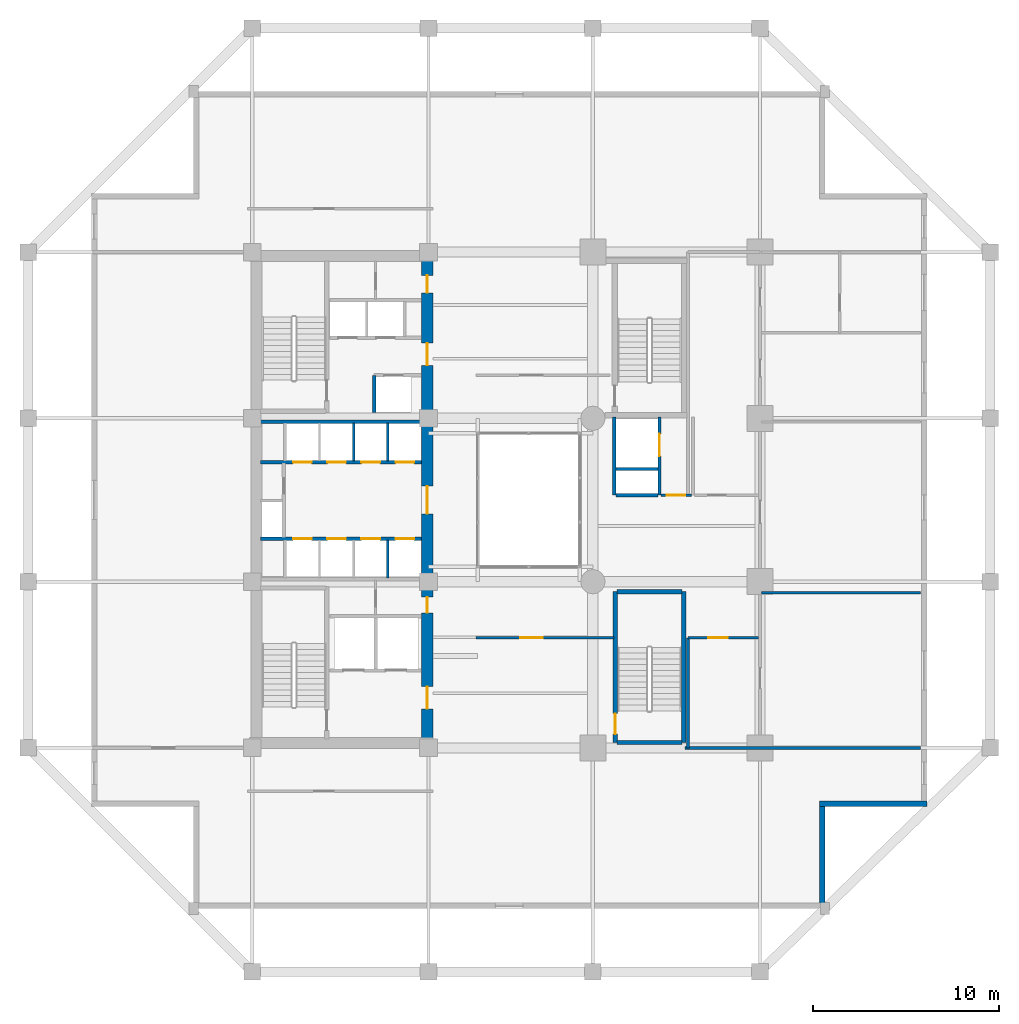
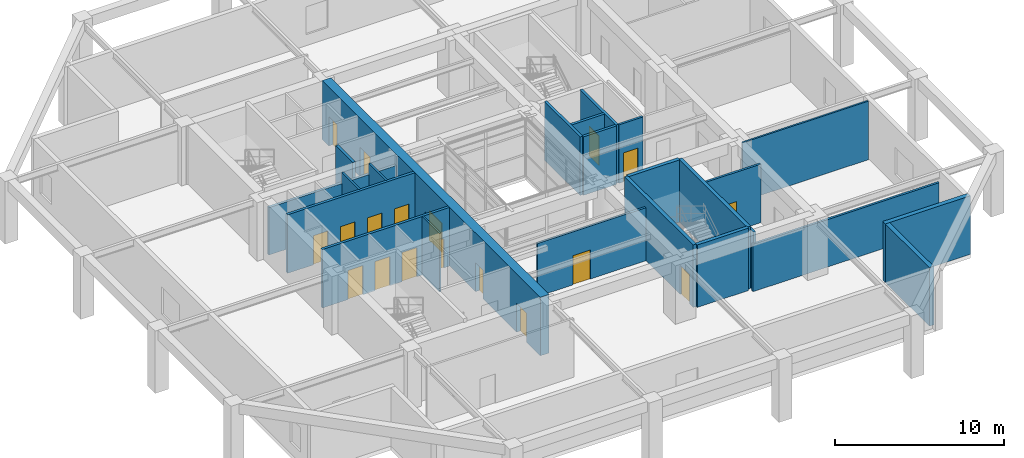
# One storey, part 7 of 10: 24 walls, 18 doors, 18 openings.
"""IFC4 building model written with IfcOpenShell, lengths in metres."""

from ifc_helpers import new_model, si_unit, direction, frame, frame_2d, origin, place, context, subcontext, project, spatial, rectangle, extrude, material, layer, layer_set, type_object, element, fill, save


model = new_model("IFC4")

# Units and contexts
model_context = context("Model", 3, precision=1e-05, world=origin(), true_north=direction((0.0, 1.0)))
body_context = subcontext(model_context, "Body", "Model", "MODEL_VIEW")
ifc_project = project(units=[si_unit("LENGTHUNIT", "METRE"), si_unit("AREAUNIT", "SQUARE_METRE"), si_unit("VOLUMEUNIT", "CUBIC_METRE"), si_unit("PLANEANGLEUNIT", "RADIAN"), si_unit("MASSUNIT", "GRAM", prefix="KILO")], contexts=[model_context])

# Site, building, storey
site_placement = place(None, origin())
site = spatial("IfcSite", under=ifc_project, at=site_placement, CompositionType="ELEMENT")
building_placement = place(site_placement, origin())
building = spatial("IfcBuilding", under=site, at=building_placement, Name="Kundavana Baori Tower", CompositionType="ELEMENT")
storey_placement = place(building_placement, frame((0.0, 0.0, 8.0)))
storey = spatial("IfcBuildingStorey", under=building, at=storey_placement, Name="L01", CompositionType="ELEMENT", Elevation=8.0)

# Wall, opening, door
ifc_material_1 = material(Name="Concrete C50/60", Category="concrete")
ifc_layer_1 = layer(ifc_material_1, 0.39990234375, Name="WL-CORE-400")
ifc_layer_set_1 = layer_set([ifc_layer_1], Name="Concrete C50/60")
wall_type_1 = type_object("IfcWallType", Name="WL-CORE-400", PredefinedType="SHEAR", material=ifc_layer_set_1)
wall_1_placement = place(storey_placement, frame((35.010009765625, 15.5400390625, 0.0), z_axis=(0.0, 0.0, 1.0), x_axis=(0.0, 1.0, 0.0)))
wall_1 = element("IfcWall", 1, at=wall_1_placement, inside=storey, type_object=wall_type_1, Name="WL-L01-ST4-W", PredefinedType="SHEAR", context=body_context, shape_type="SweptSolid", body=[
    extrude(rectangle(XDim=8.119873046875, YDim=0.239990234375, at=frame_2d((4.06005859375, 0.0))), origin(), (0.0, 0.0, 1.0), 4.5),
])
opening_1_placement = place(wall_1_placement, frame((0.449951171875, 0.0, 0.0)))
opening_1 = element("IfcOpeningElement", 2, at=opening_1_placement, cuts=wall_1, Name="Opening FD-110", PredefinedType="OPENING", context=body_context, shape_type="SweptSolid", body=[
    extrude(rectangle(XDim=1.10009765625, YDim=2.10009765625, at=frame_2d((0.550048828125, 1.050048828125))), frame((0.0, 0.1298828125, 0.0), z_axis=(0.0, -1.0, 0.0), x_axis=(1.0, 0.0, 0.0)), (0.0, 0.0, 1.0), 0.260009765625),
])
ifc_material_2 = material(Name="Galvanised Steel Fire-Rated Door Leaf", Category="steel")
door_type_1 = type_object("IfcDoorType", Name="DR-FD120-1100", OperationType="NOTDEFINED", PredefinedType="DOOR", material=ifc_material_2)
door_1_placement = place(opening_1_placement, origin())
door_1 = element("IfcDoor", 3, at=door_1_placement, inside=storey, type_object=door_type_1, Name="DR-L01-ST4", OperationType="SINGLE_SWING_RIGHT", OverallHeight=2.10009765625, OverallWidth=1.10009765625, PredefinedType="DOOR", context=body_context, shape_type="SweptSolid", body=[
    extrude(rectangle(XDim=1.10009765625, YDim=2.10009765625, at=frame_2d((0.550048828125, 1.050048828125))), frame((0.0, 0.02490234375, 0.0), z_axis=(0.0, -1.0, 0.0), x_axis=(1.0, 0.0, 0.0)), (0.0, 0.0, 1.0), 0.050048828125),
])
fill(opening_1, door_1)

# Walls
wall_2_placement = place(storey_placement, frame((38.68994140625, 15.5400390625, 0.0), z_axis=(0.0, 0.0, 1.0), x_axis=(0.0, 1.0, 0.0)))
element("IfcWall", 4, at=wall_2_placement, inside=storey, type_object=wall_type_1, Name="WL-L01-ST4-E", PredefinedType="SHEAR", context=body_context, shape_type="SweptSolid", body=[
    extrude(rectangle(XDim=8.119873046875, YDim=0.239990234375, at=frame_2d((4.06005859375, 0.0))), origin(), (0.0, 0.0, 1.0), 4.5),
])
for number, where, z_axis, x_axis, name in (
    (5, (35.10009765625, 15.5400390625, 0.0), (0.0, 0.0, 1.0), (1.0, 0.0, 0.0), "WL-L01-ST4-S"),
    (6, (35.10009765625, 23.659912109375, 0.0), (0.0, 0.0, 1.0), (1.0, 0.0, 0.0), "WL-L01-ST4-N"),
):
    element("IfcWall", number, at=place(storey_placement, frame(where, z_axis=z_axis, x_axis=x_axis)), inside=storey, type_object=wall_type_1, Name=name, PredefinedType="SHEAR", context=body_context, shape_type="SweptSolid", body=[
        extrude(rectangle(XDim=3.5, YDim=0.239990234375, at=frame_2d((1.75, 0.0))), origin(), (0.0, 0.0, 1.0), 4.5),
    ])

# Wall, openings, doors
ifc_material_3 = material(Name="Concrete C60/75", Category="concrete")
ifc_layer_2 = layer(ifc_material_3, 0.60009765625, Name="WL-CORE-600")
ifc_layer_set_2 = layer_set([ifc_layer_2], Name="Concrete C60/75")
wall_type_2 = type_object("IfcWallType", Name="WL-CORE-600", PredefinedType="SHEAR", material=ifc_layer_set_2)
wall_3_placement = place(storey_placement, frame((24.8798828125, 15.739990234375, 0.0), z_axis=(0.0, 0.0, 1.0), x_axis=(0.0, 1.0, 0.0)))
wall_3 = element("IfcWall", 7, at=wall_3_placement, inside=storey, type_object=wall_type_2, Name="L01 Offset Core East Shear Wall", PredefinedType="SHEAR", context=body_context, shape_type="SweptSolid", body=[
    extrude(rectangle(XDim=25.760009765625, YDim=0.60009765625, at=frame_2d((12.8798828125, 0.0))), origin(), (0.0, 0.0, 1.0), 4.219970703125),
])
opening_2_placement = place(wall_3_placement, frame((1.610107421875, 0.0, 0.0)))
opening_2 = element("IfcOpeningElement", 8, at=opening_2_placement, cuts=wall_3, Name="Opening FD-120", PredefinedType="OPENING", context=body_context, shape_type="SweptSolid", body=[
    extrude(rectangle(XDim=1.199951171875, YDim=2.10009765625, at=frame_2d((0.60009765625, 1.050048828125))), frame((0.0, 0.31005859375, 0.0), z_axis=(0.0, -1.0, 0.0), x_axis=(1.0, 0.0, 0.0)), (0.0, 0.0, 1.0), 0.6201171875),
])
opening_3_placement = place(wall_3_placement, frame((6.780029296875, 0.0, 0.0)))
opening_3 = element("IfcOpeningElement", 9, at=opening_3_placement, cuts=wall_3, Name="Opening FD-085", PredefinedType="OPENING", context=body_context, shape_type="SweptSolid", body=[
    extrude(rectangle(XDim=0.85009765625, YDim=2.06005859375, at=frame_2d((0.425048828125, 1.030029296875))), frame((0.0, 0.31005859375, 0.0), z_axis=(0.0, -1.0, 0.0), x_axis=(1.0, 0.0, 0.0)), (0.0, 0.0, 1.0), 0.6201171875),
])
opening_4_placement = place(wall_3_placement, frame((12.110107421875, 0.0, 0.0)))
opening_4 = element("IfcOpeningElement", 10, at=opening_4_placement, cuts=wall_3, Name="Opening FD-150", PredefinedType="OPENING", context=body_context, shape_type="SweptSolid", body=[
    extrude(rectangle(XDim=1.5, YDim=2.1201171875, at=frame_2d((0.75, 1.06005859375))), frame((0.0, 0.31005859375, 0.0), z_axis=(0.0, -1.0, 0.0), x_axis=(1.0, 0.0, 0.0)), (0.0, 0.0, 1.0), 0.6201171875),
])
opening_5_placement = place(wall_3_placement, frame((20.110107421875, 0.0, 0.0)))
opening_5 = element("IfcOpeningElement", 11, at=opening_5_placement, cuts=wall_3, Name="Opening FD-122", PredefinedType="OPENING", context=body_context, shape_type="SweptSolid", body=[
    extrude(rectangle(XDim=1.199951171875, YDim=2.1201171875, at=frame_2d((0.60009765625, 1.06005859375))), frame((0.0, 0.31005859375, 0.0), z_axis=(0.0, -1.0, 0.0), x_axis=(1.0, 0.0, 0.0)), (0.0, 0.0, 1.0), 0.6201171875),
])
opening_6_placement = place(wall_3_placement, frame((24.010009765625, 0.0, 0.0)))
opening_6 = element("IfcOpeningElement", 12, at=opening_6_placement, cuts=wall_3, Name="Opening FD-095", PredefinedType="OPENING", context=body_context, shape_type="SweptSolid", body=[
    extrude(rectangle(XDim=0.949951171875, YDim=2.10009765625, at=frame_2d((0.47509765625, 1.050048828125))), frame((0.0, 0.31005859375, 0.0), z_axis=(0.0, -1.0, 0.0), x_axis=(1.0, 0.0, 0.0)), (0.0, 0.0, 1.0), 0.6201171875),
])
ifc_material_4 = material(Name="Galvanised Steel Fire-Rated Door Leaf", Category="steel")
door_type_2 = type_object("IfcDoorType", Name="DR-FD120-1200", OperationType="NOTDEFINED", PredefinedType="DOOR", material=ifc_material_4)
door_2_placement = place(opening_2_placement, frame((1.199951171875, 0.0, 0.0), z_axis=(0.0, 0.0, 1.0), x_axis=(-1.0, 0.0, 0.0)))
door_2 = element("IfcDoor", 13, at=door_2_placement, inside=storey, type_object=door_type_2, Name="DR-L01-FFLOB-E", OperationType="SINGLE_SWING_RIGHT", OverallHeight=2.10009765625, OverallWidth=1.199951171875, PredefinedType="DOOR", context=body_context, shape_type="SweptSolid", body=[
    extrude(rectangle(XDim=1.199951171875, YDim=2.10009765625, at=frame_2d((0.60009765625, 1.050048828125))), frame((0.0, 0.02490234375, 0.0), z_axis=(0.0, -1.0, 0.0), x_axis=(1.0, 0.0, 0.0)), (0.0, 0.0, 1.0), 0.050048828125),
])
fill(opening_2, door_2)
ifc_material_5 = material(Name="Galvanised Steel Fire-Rated Door Leaf", Category="steel")
door_type_3 = type_object("IfcDoorType", Name="DR-FD60-1200", OperationType="NOTDEFINED", PredefinedType="DOOR", material=ifc_material_5)
door_3_placement = place(opening_5_placement, frame((1.199951171875, 0.0, 0.0), z_axis=(0.0, 0.0, 1.0), x_axis=(-1.0, 0.0, 0.0)))
door_3 = element("IfcDoor", 14, at=door_3_placement, inside=storey, type_object=door_type_3, Name="DR-L01-HRLOB-E", OperationType="SINGLE_SWING_RIGHT", OverallHeight=2.1201171875, OverallWidth=1.199951171875, PredefinedType="DOOR", context=body_context, shape_type="SweptSolid", body=[
    extrude(rectangle(XDim=1.199951171875, YDim=2.1201171875, at=frame_2d((0.60009765625, 1.06005859375))), frame((0.0, 0.02490234375, 0.0), z_axis=(0.0, -1.0, 0.0), x_axis=(1.0, 0.0, 0.0)), (0.0, 0.0, 1.0), 0.050048828125),
])
fill(opening_5, door_3)
ifc_material_6 = material(Name="Galvanised Steel Fire-Rated Door Leaf", Category="steel")
door_type_4 = type_object("IfcDoorType", Name="DR-FD60-1500", OperationType="NOTDEFINED", PredefinedType="DOOR", material=ifc_material_6)
door_4_placement = place(opening_4_placement, frame((1.5, 0.0, 0.0), z_axis=(0.0, 0.0, 1.0), x_axis=(-1.0, 0.0, 0.0)))
door_4 = element("IfcDoor", 15, at=door_4_placement, inside=storey, type_object=door_type_4, Name="DR-L01-LIFTHALL-E", OperationType="SINGLE_SWING_LEFT", OverallHeight=2.1201171875, OverallWidth=1.5, PredefinedType="DOOR", context=body_context, shape_type="SweptSolid", body=[
    extrude(rectangle(XDim=1.5, YDim=2.1201171875, at=frame_2d((0.75, 1.06005859375))), frame((0.0, 0.02490234375, 0.0), z_axis=(0.0, -1.0, 0.0), x_axis=(1.0, 0.0, 0.0)), (0.0, 0.0, 1.0), 0.050048828125),
])
fill(opening_4, door_4)
ifc_material_7 = material(Name="Galvanised Steel Fire-Rated Door Leaf", Category="steel")
door_type_5 = type_object("IfcDoorType", Name="DR-FD60-850", OperationType="NOTDEFINED", PredefinedType="DOOR", material=ifc_material_7)
door_5_placement = place(opening_3_placement, frame((0.85009765625, 0.0, 0.0), z_axis=(0.0, 0.0, 1.0), x_axis=(-1.0, 0.0, 0.0)))
door_5 = element("IfcDoor", 16, at=door_5_placement, inside=storey, type_object=door_type_5, Name="DR-L01-CSMK2", OperationType="SINGLE_SWING_RIGHT", OverallHeight=2.06005859375, OverallWidth=0.85009765625, PredefinedType="DOOR", context=body_context, shape_type="SweptSolid", body=[
    extrude(rectangle(XDim=0.85009765625, YDim=2.06005859375, at=frame_2d((0.425048828125, 1.030029296875))), frame((0.0, 0.02490234375, 0.0), z_axis=(0.0, -1.0, 0.0), x_axis=(1.0, 0.0, 0.0)), (0.0, 0.0, 1.0), 0.050048828125),
])
fill(opening_3, door_5)
ifc_material_8 = material(Name="Engineered Teak Fire-Rated Timber Door Leaf", Category="wood")
door_type_6 = type_object("IfcDoorType", Name="DR-FD60-950", OperationType="NOTDEFINED", PredefinedType="DOOR", material=ifc_material_8)
door_6_placement = place(opening_6_placement, frame((0.949951171875, 0.0, 0.0), z_axis=(0.0, 0.0, 1.0), x_axis=(-1.0, 0.0, 0.0)))
door_6 = element("IfcDoor", 17, at=door_6_placement, inside=storey, type_object=door_type_6, Name="DR-L01-CSRV2", OperationType="SINGLE_SWING_RIGHT", OverallHeight=2.10009765625, OverallWidth=0.949951171875, PredefinedType="DOOR", context=body_context, shape_type="SweptSolid", body=[
    extrude(rectangle(XDim=0.949951171875, YDim=2.10009765625, at=frame_2d((0.47509765625, 1.050048828125))), frame((0.0, 0.02490234375, 0.0), z_axis=(0.0, -1.0, 0.0), x_axis=(1.0, 0.0, 0.0)), (0.0, 0.0, 1.0), 0.050048828125),
])
fill(opening_6, door_6)

# Walls
ifc_material_9 = material(Name="Red-Buff Dholpur Sandstone Cladding on Concrete C40/50", Category="masonry")
ifc_layer_3 = layer(ifc_material_9, 0.300048828125, Name="WL-EXT-SAND-300")
ifc_layer_set_3 = layer_set([ifc_layer_3], Name="Red-Buff Dholpur Sandstone Cladding on Concrete C40/50")
wall_type_3 = type_object("IfcWallType", Name="WL-EXT-SAND-300", PredefinedType="STANDARD", material=ifc_layer_set_3)
wall_4_placement = place(storey_placement, frame((46.14990234375, 6.89990234375, 0.0), z_axis=(0.0, 0.0, 1.0), x_axis=(0.0, 1.0, 0.0)))
element("IfcWall", 18, at=wall_4_placement, inside=storey, type_object=wall_type_3, Name="L01 Exterior Insulated Facade Wall 02", PredefinedType="STANDARD", context=body_context, shape_type="SweptSolid", body=[
    extrude(rectangle(XDim=5.2001953125, YDim=0.300048828125, at=frame_2d((2.60009765625, 0.0))), origin(), (0.0, 0.0, 1.0), 4.219970703125),
])
wall_5_placement = place(storey_placement, frame((46.0, 12.25, 0.0), z_axis=(0.0, 0.0, 1.0), x_axis=(1.0, 0.0, 0.0)))
element("IfcWall", 19, at=wall_5_placement, inside=storey, type_object=wall_type_3, Name="L01 Exterior Insulated Facade Wall 03", PredefinedType="STANDARD", context=body_context, shape_type="SweptSolid", body=[
    extrude(rectangle(XDim=5.800048828125, YDim=0.300048828125, at=frame_2d((2.89990234375, 0.0))), origin(), (0.0, 0.0, 1.0), 4.219970703125),
])
ifc_material_10 = material(Name="Acoustic Gypsum Plasterboard on Galvanised Steel Studs", Category="steel")
ifc_layer_4 = layer(ifc_material_10, 0.1201171875, Name="WL-PART-120")
ifc_layer_set_4 = layer_set([ifc_layer_4], Name="Acoustic Gypsum Plasterboard on Galvanised Steel Studs")
wall_type_4 = type_object("IfcWallType", Name="WL-PART-120", PredefinedType="PARTITIONING", material=ifc_layer_set_4)
for number, where, z_axis, x_axis, name in (
    (20, (22.760009765625, 24.39990234375, 0.0), (0.0, 0.0, 1.0), (0.0, 1.0, 0.0), "WL-L01-LPLOW-D3"),
    (21, (20.919921875, 30.699951171875, 0.0), (0.0, 0.0, 1.0), (0.0, 1.0, 0.0), "WL-L01-LPMID-D2"),
    (22, (22.760009765625, 30.699951171875, 0.0), (0.0, 0.0, 1.0), (0.0, 1.0, 0.0), "WL-L01-LPMID-D3"),
):
    element("IfcWall", number, at=place(storey_placement, frame(where, z_axis=z_axis, x_axis=x_axis)), inside=storey, type_object=wall_type_4, Name=name, PredefinedType="PARTITIONING", context=body_context, shape_type="SweptSolid", body=[
        extrude(rectangle(XDim=2.050048828125, YDim=0.1201171875, at=frame_2d((1.02490234375, 0.0))), origin(), (0.0, 0.0, 1.0), 4.219970703125),
    ])
wall_6_placement = place(storey_placement, frame((42.8798828125, 23.60009765625, 0.0), z_axis=(0.0, 0.0, 1.0), x_axis=(1.0, 0.0, 0.0)))
element("IfcWall", 23, at=wall_6_placement, inside=storey, type_object=wall_type_4, Name="WL-L01-ED1", PredefinedType="PARTITIONING", context=body_context, shape_type="SweptSolid", body=[
    extrude(rectangle(XDim=8.570068359375, YDim=0.1201171875, at=frame_2d((4.28515625, 0.0))), origin(), (0.0, 0.0, 1.0), 4.219970703125),
])

# Wall, opening, door
ifc_material_11 = material(Name="Fire-Rated Gypsum Drywall on Galvanised Steel Studs", Category="steel")
ifc_layer_5 = layer(ifc_material_11, 0.14990234375, Name="WL-PART-150")
ifc_layer_set_5 = layer_set([ifc_layer_5], Name="Fire-Rated Gypsum Drywall on Galvanised Steel Studs")
wall_type_5 = type_object("IfcWallType", Name="WL-PART-150", PredefinedType="PARTITIONING", material=ifc_layer_set_5)
wall_7_placement = place(storey_placement, frame((37.47998046875, 28.860107421875, 0.0), z_axis=(0.0, 0.0, 1.0), x_axis=(1.0, 0.0, 0.0)))
wall_7 = element("IfcWall", 24, at=wall_7_placement, inside=storey, type_object=wall_type_5, Name="WL-L01-SVLOB-S", PredefinedType="PARTITIONING", context=body_context, shape_type="SweptSolid", body=[
    extrude(rectangle(XDim=1.64013671875, YDim=0.14990234375, at=frame_2d((0.820068359375, 0.0))), origin(), (0.0, 0.0, 1.0), 4.219970703125),
])
opening_7_placement = place(wall_7_placement, frame((0.300048828125, 0.0, 0.0)))
opening_7 = element("IfcOpeningElement", 25, at=opening_7_placement, cuts=wall_7, Name="Opening FD-100", PredefinedType="OPENING", context=body_context, shape_type="SweptSolid", body=[
    extrude(rectangle(XDim=1.0, YDim=2.10009765625, at=frame_2d((0.5, 1.050048828125))), frame((0.0, 0.0849609375, 0.0), z_axis=(0.0, -1.0, 0.0), x_axis=(1.0, 0.0, 0.0)), (0.0, 0.0, 1.0), 0.169921875),
])
ifc_material_12 = material(Name="Engineered Teak Fire-Rated Timber Door Leaf", Category="wood")
door_type_7 = type_object("IfcDoorType", Name="DR-FD60-1000", OperationType="NOTDEFINED", PredefinedType="DOOR", material=ifc_material_12)
door_7_placement = place(opening_7_placement, origin())
door_7 = element("IfcDoor", 26, at=door_7_placement, inside=storey, type_object=door_type_7, Name="DR-L01-SVLOB-OUT", OperationType="SINGLE_SWING_LEFT", OverallHeight=2.10009765625, OverallWidth=1.0, PredefinedType="DOOR", context=body_context, shape_type="SweptSolid", body=[
    extrude(rectangle(XDim=1.0, YDim=2.10009765625, at=frame_2d((0.5, 1.050048828125))), frame((0.0, 0.02490234375, 0.0), z_axis=(0.0, -1.0, 0.0), x_axis=(1.0, 0.0, 0.0)), (0.0, 0.0, 1.0), 0.050048828125),
])
fill(opening_7, door_7)

wall_8_placement = place(storey_placement, frame((27.5, 21.179931640625, 0.0), z_axis=(0.0, 0.0, 1.0), x_axis=(1.0, 0.0, 0.0)))
wall_8 = element("IfcWall", 27, at=wall_8_placement, inside=storey, type_object=wall_type_5, Name="WL-L01-PODS", PredefinedType="PARTITIONING", context=body_context, shape_type="SweptSolid", body=[
    extrude(rectangle(XDim=7.449951171875, YDim=0.14990234375, at=frame_2d((3.72509765625, 0.0))), origin(), (0.0, 0.0, 1.0), 3.820068359375),
])
opening_8_placement = place(wall_8_placement, frame((2.39990234375, 0.0, 0.0)))
opening_8 = element("IfcOpeningElement", 28, at=opening_8_placement, cuts=wall_8, Name="Opening ID-120", PredefinedType="OPENING", context=body_context, shape_type="SweptSolid", body=[
    extrude(rectangle(XDim=1.199951171875, YDim=2.10009765625, at=frame_2d((0.60009765625, 1.050048828125))), frame((0.0, 0.0849609375, 0.0), z_axis=(0.0, -1.0, 0.0), x_axis=(1.0, 0.0, 0.0)), (0.0, 0.0, 1.0), 0.169921875),
])
ifc_material_13 = material(Name="Engineered Teak Solid-Core Timber Veneer", Category="wood")
door_type_8 = type_object("IfcDoorType", Name="DR-INT-1200", OperationType="NOTDEFINED", PredefinedType="DOOR", material=ifc_material_13)
door_8_placement = place(opening_8_placement, frame((1.199951171875, 0.0, 0.0), z_axis=(0.0, 0.0, 1.0), x_axis=(-1.0, 0.0, 0.0)))
door_8 = element("IfcDoor", 29, at=door_8_placement, inside=storey, type_object=door_type_8, Name="DR-L01-RETS", OperationType="SINGLE_SWING_LEFT", OverallHeight=2.10009765625, OverallWidth=1.199951171875, PredefinedType="DOOR", context=body_context, shape_type="SweptSolid", body=[
    extrude(rectangle(XDim=1.199951171875, YDim=2.10009765625, at=frame_2d((0.60009765625, 1.050048828125))), frame((0.0, 0.02490234375, 0.0), z_axis=(0.0, -1.0, 0.0), x_axis=(1.0, 0.0, 0.0)), (0.0, 0.0, 1.0), 0.050048828125),
])
fill(opening_8, door_8)

# Wall
wall_9_placement = place(storey_placement, frame((38.75, 15.25, 0.0), z_axis=(0.0, 0.0, 1.0), x_axis=(1.0, 0.0, 0.0)))
element("IfcWall", 30, at=wall_9_placement, inside=storey, type_object=wall_type_5, Name="WL-L01-PODE-S", PredefinedType="PARTITIONING", context=body_context, shape_type="SweptSolid", body=[
    extrude(rectangle(XDim=12.699951171875, YDim=0.14990234375, at=frame_2d((6.35009765625, 0.0))), origin(), (0.0, 0.0, 1.0), 3.419921875),
])

# Wall, opening, door
wall_10_placement = place(storey_placement, frame((38.919921875, 21.179931640625, 0.0), z_axis=(0.0, 0.0, 1.0), x_axis=(1.0, 0.0, 0.0)))
wall_10 = element("IfcWall", 31, at=wall_10_placement, inside=storey, type_object=wall_type_5, Name="WL-L01-PSEBN", PredefinedType="PARTITIONING", context=body_context, shape_type="SweptSolid", body=[
    extrude(rectangle(XDim=3.800048828125, YDim=0.14990234375, at=frame_2d((1.89990234375, 0.0))), origin(), (0.0, 0.0, 1.0), 4.219970703125),
])
opening_9_placement = place(wall_10_placement, frame((1.10009765625, 0.0, 0.0)))
opening_9 = element("IfcOpeningElement", 32, at=opening_9_placement, cuts=wall_10, Name="Opening ID-105", PredefinedType="OPENING", context=body_context, shape_type="SweptSolid", body=[
    extrude(rectangle(XDim=1.050048828125, YDim=2.10009765625, at=frame_2d((0.52490234375, 1.050048828125))), frame((0.0, 0.0849609375, 0.0), z_axis=(0.0, -1.0, 0.0), x_axis=(1.0, 0.0, 0.0)), (0.0, 0.0, 1.0), 0.169921875),
])
ifc_material_14 = material(Name="Engineered Teak Solid-Core Timber Veneer", Category="wood")
door_type_9 = type_object("IfcDoorType", Name="DR-INT-1050", OperationType="NOTDEFINED", PredefinedType="DOOR", material=ifc_material_14)
door_9_placement = place(opening_9_placement, origin())
door_9 = element("IfcDoor", 33, at=door_9_placement, inside=storey, type_object=door_type_9, Name="DR-L01-BKSE", OperationType="SINGLE_SWING_LEFT", OverallHeight=2.10009765625, OverallWidth=1.050048828125, PredefinedType="DOOR", context=body_context, shape_type="SweptSolid", body=[
    extrude(rectangle(XDim=1.050048828125, YDim=2.10009765625, at=frame_2d((0.52490234375, 1.050048828125))), frame((0.0, 0.02490234375, 0.0), z_axis=(0.0, -1.0, 0.0), x_axis=(1.0, 0.0, 0.0)), (0.0, 0.0, 1.0), 0.050048828125),
])
fill(opening_9, door_9)

# Wall
wall_11_placement = place(storey_placement, frame((38.919921875, 15.25, 0.0), z_axis=(0.0, 0.0, 1.0), x_axis=(0.0, 1.0, 0.0)))
element("IfcWall", 34, at=wall_11_placement, inside=storey, type_object=wall_type_5, Name="WL-L01-PSEBW", PredefinedType="PARTITIONING", context=body_context, shape_type="SweptSolid", body=[
    extrude(rectangle(XDim=5.929931640625, YDim=0.14990234375, at=frame_2d((2.96484375, 0.0))), origin(), (0.0, 0.0, 1.0), 4.219970703125),
])

# Wall, openings, doors
ifc_material_15 = material(Name="Autoclaved Aerated Concrete Blockwork Masonry", Category="masonry")
ifc_layer_6 = layer(ifc_material_15, 0.179931640625, Name="WL-SHAFT-180")
ifc_layer_set_6 = layer_set([ifc_layer_6], Name="Autoclaved Aerated Concrete Blockwork Masonry")
wall_type_6 = type_object("IfcWallType", Name="WL-SHAFT-180", PredefinedType="SOLIDWALL", material=ifc_layer_set_6)
wall_12_placement = place(storey_placement, frame((15.89990234375, 26.52001953125, 0.0), z_axis=(0.0, 0.0, 1.0), x_axis=(1.0, 0.0, 0.0)))
wall_12 = element("IfcWall", 35, at=wall_12_placement, inside=storey, type_object=wall_type_6, Name="WL-L01-LPLOW-N", PredefinedType="SOLIDWALL", context=body_context, shape_type="SweptSolid", body=[
    extrude(rectangle(XDim=8.68017578125, YDim=0.179931640625, at=frame_2d((4.340087890625, 0.0))), origin(), (0.0, 0.0, 1.0), 4.219970703125),
])
opening_10_placement = place(wall_12_placement, frame((1.760009765625, 0.0, 0.0)))
opening_10 = element("IfcOpeningElement", 36, at=opening_10_placement, cuts=wall_12, Name="Opening LD-100", PredefinedType="OPENING", context=body_context, shape_type="SweptSolid", body=[
    extrude(rectangle(XDim=1.0, YDim=2.10009765625, at=frame_2d((0.5, 1.050048828125))), frame((0.0, 0.10009765625, 0.0), z_axis=(0.0, -1.0, 0.0), x_axis=(1.0, 0.0, 0.0)), (0.0, 0.0, 1.0), 0.199951171875),
])
opening_11_placement = place(wall_12_placement, frame((3.60009765625, 0.0, 0.0)))
opening_11 = element("IfcOpeningElement", 37, at=opening_11_placement, cuts=wall_12, Name="Opening LD-100", PredefinedType="OPENING", context=body_context, shape_type="SweptSolid", body=[
    extrude(rectangle(XDim=1.0, YDim=2.10009765625, at=frame_2d((0.5, 1.050048828125))), frame((0.0, 0.10009765625, 0.0), z_axis=(0.0, -1.0, 0.0), x_axis=(1.0, 0.0, 0.0)), (0.0, 0.0, 1.0), 0.199951171875),
])
opening_12_placement = place(wall_12_placement, frame((5.43994140625, 0.0, 0.0)))
opening_12 = element("IfcOpeningElement", 38, at=opening_12_placement, cuts=wall_12, Name="Opening LD-100", PredefinedType="OPENING", context=body_context, shape_type="SweptSolid", body=[
    extrude(rectangle(XDim=1.0, YDim=2.10009765625, at=frame_2d((0.5, 1.050048828125))), frame((0.0, 0.10009765625, 0.0), z_axis=(0.0, -1.0, 0.0), x_axis=(1.0, 0.0, 0.0)), (0.0, 0.0, 1.0), 0.199951171875),
])
opening_13_placement = place(wall_12_placement, frame((7.280029296875, 0.0, 0.0)))
opening_13 = element("IfcOpeningElement", 39, at=opening_13_placement, cuts=wall_12, Name="Opening LD-100", PredefinedType="OPENING", context=body_context, shape_type="SweptSolid", body=[
    extrude(rectangle(XDim=1.0, YDim=2.10009765625, at=frame_2d((0.5, 1.050048828125))), frame((0.0, 0.10009765625, 0.0), z_axis=(0.0, -1.0, 0.0), x_axis=(1.0, 0.0, 0.0)), (0.0, 0.0, 1.0), 0.199951171875),
])
ifc_material_16 = material(Name="Galvanised Steel Fire-Rated Door Leaf", Category="steel")
door_type_10 = type_object("IfcDoorType", Name="DR-SLIDE-LD1000", OperationType="NOTDEFINED", PredefinedType="DOOR", material=ifc_material_16)
door_10_placement = place(opening_10_placement, origin())
door_10 = element("IfcDoor", 40, at=door_10_placement, inside=storey, type_object=door_type_10, Name="DR-L01-LD-LP-01", OperationType="DOUBLE_DOOR_SLIDING", OverallHeight=2.10009765625, OverallWidth=1.0, PredefinedType="DOOR", context=body_context, shape_type="SweptSolid", body=[
    extrude(rectangle(XDim=1.0, YDim=2.10009765625, at=frame_2d((0.5, 1.050048828125))), frame((0.0, 0.02490234375, 0.0), z_axis=(0.0, -1.0, 0.0), x_axis=(1.0, 0.0, 0.0)), (0.0, 0.0, 1.0), 0.050048828125),
])
fill(opening_10, door_10)
door_11_placement = place(opening_11_placement, origin())
door_11 = element("IfcDoor", 41, at=door_11_placement, inside=storey, type_object=door_type_10, Name="DR-L01-LD-LP-02", OperationType="DOUBLE_DOOR_SLIDING", OverallHeight=2.10009765625, OverallWidth=1.0, PredefinedType="DOOR", context=body_context, shape_type="SweptSolid", body=[
    extrude(rectangle(XDim=1.0, YDim=2.10009765625, at=frame_2d((0.5, 1.050048828125))), frame((0.0, 0.02490234375, 0.0), z_axis=(0.0, -1.0, 0.0), x_axis=(1.0, 0.0, 0.0)), (0.0, 0.0, 1.0), 0.050048828125),
])
fill(opening_11, door_11)
door_12_placement = place(opening_12_placement, origin())
door_12 = element("IfcDoor", 42, at=door_12_placement, inside=storey, type_object=door_type_10, Name="DR-L01-LD-LP-03", OperationType="DOUBLE_DOOR_SLIDING", OverallHeight=2.10009765625, OverallWidth=1.0, PredefinedType="DOOR", context=body_context, shape_type="SweptSolid", body=[
    extrude(rectangle(XDim=1.0, YDim=2.10009765625, at=frame_2d((0.5, 1.050048828125))), frame((0.0, 0.02490234375, 0.0), z_axis=(0.0, -1.0, 0.0), x_axis=(1.0, 0.0, 0.0)), (0.0, 0.0, 1.0), 0.050048828125),
])
fill(opening_12, door_12)
door_13_placement = place(opening_13_placement, origin())
door_13 = element("IfcDoor", 43, at=door_13_placement, inside=storey, type_object=door_type_10, Name="DR-L01-LD-LP-04", OperationType="DOUBLE_DOOR_SLIDING", OverallHeight=2.10009765625, OverallWidth=1.0, PredefinedType="DOOR", context=body_context, shape_type="SweptSolid", body=[
    extrude(rectangle(XDim=1.0, YDim=2.10009765625, at=frame_2d((0.5, 1.050048828125))), frame((0.0, 0.02490234375, 0.0), z_axis=(0.0, -1.0, 0.0), x_axis=(1.0, 0.0, 0.0)), (0.0, 0.0, 1.0), 0.050048828125),
])
fill(opening_13, door_13)

wall_13_placement = place(storey_placement, frame((15.89990234375, 30.639892578125, 0.0), z_axis=(0.0, 0.0, 1.0), x_axis=(1.0, 0.0, 0.0)))
wall_13 = element("IfcWall", 44, at=wall_13_placement, inside=storey, type_object=wall_type_6, Name="WL-L01-LPMID-S", PredefinedType="SOLIDWALL", context=body_context, shape_type="SweptSolid", body=[
    extrude(rectangle(XDim=8.68017578125, YDim=0.179931640625, at=frame_2d((4.340087890625, 0.0))), origin(), (0.0, 0.0, 1.0), 4.219970703125),
])
opening_14_placement = place(wall_13_placement, frame((1.760009765625, 0.0, 0.0)))
opening_14 = element("IfcOpeningElement", 45, at=opening_14_placement, cuts=wall_13, Name="Opening LD-100", PredefinedType="OPENING", context=body_context, shape_type="SweptSolid", body=[
    extrude(rectangle(XDim=1.0, YDim=2.10009765625, at=frame_2d((0.5, 1.050048828125))), frame((0.0, 0.10009765625, 0.0), z_axis=(0.0, -1.0, 0.0), x_axis=(1.0, 0.0, 0.0)), (0.0, 0.0, 1.0), 0.199951171875),
])
opening_15_placement = place(wall_13_placement, frame((3.60009765625, 0.0, 0.0)))
opening_15 = element("IfcOpeningElement", 46, at=opening_15_placement, cuts=wall_13, Name="Opening LD-100", PredefinedType="OPENING", context=body_context, shape_type="SweptSolid", body=[
    extrude(rectangle(XDim=1.0, YDim=2.10009765625, at=frame_2d((0.5, 1.050048828125))), frame((0.0, 0.10009765625, 0.0), z_axis=(0.0, -1.0, 0.0), x_axis=(1.0, 0.0, 0.0)), (0.0, 0.0, 1.0), 0.199951171875),
])
opening_16_placement = place(wall_13_placement, frame((5.43994140625, 0.0, 0.0)))
opening_16 = element("IfcOpeningElement", 47, at=opening_16_placement, cuts=wall_13, Name="Opening LD-100", PredefinedType="OPENING", context=body_context, shape_type="SweptSolid", body=[
    extrude(rectangle(XDim=1.0, YDim=2.10009765625, at=frame_2d((0.5, 1.050048828125))), frame((0.0, 0.10009765625, 0.0), z_axis=(0.0, -1.0, 0.0), x_axis=(1.0, 0.0, 0.0)), (0.0, 0.0, 1.0), 0.199951171875),
])
opening_17_placement = place(wall_13_placement, frame((7.280029296875, 0.0, 0.0)))
opening_17 = element("IfcOpeningElement", 48, at=opening_17_placement, cuts=wall_13, Name="Opening LD-100", PredefinedType="OPENING", context=body_context, shape_type="SweptSolid", body=[
    extrude(rectangle(XDim=1.0, YDim=2.10009765625, at=frame_2d((0.5, 1.050048828125))), frame((0.0, 0.10009765625, 0.0), z_axis=(0.0, -1.0, 0.0), x_axis=(1.0, 0.0, 0.0)), (0.0, 0.0, 1.0), 0.199951171875),
])
door_14_placement = place(opening_14_placement, frame((1.0, 0.0, 0.0), z_axis=(0.0, 0.0, 1.0), x_axis=(-1.0, 0.0, 0.0)))
door_14 = element("IfcDoor", 49, at=door_14_placement, inside=storey, type_object=door_type_10, Name="DR-L01-LD-LP-05", OperationType="DOUBLE_DOOR_SLIDING", OverallHeight=2.10009765625, OverallWidth=1.0, PredefinedType="DOOR", context=body_context, shape_type="SweptSolid", body=[
    extrude(rectangle(XDim=1.0, YDim=2.10009765625, at=frame_2d((0.5, 1.050048828125))), frame((0.0, 0.02490234375, 0.0), z_axis=(0.0, -1.0, 0.0), x_axis=(1.0, 0.0, 0.0)), (0.0, 0.0, 1.0), 0.050048828125),
])
fill(opening_14, door_14)
door_15_placement = place(opening_15_placement, frame((1.0, 0.0, 0.0), z_axis=(0.0, 0.0, 1.0), x_axis=(-1.0, 0.0, 0.0)))
door_15 = element("IfcDoor", 50, at=door_15_placement, inside=storey, type_object=door_type_10, Name="DR-L01-LD-LP-06", OperationType="DOUBLE_DOOR_SLIDING", OverallHeight=2.10009765625, OverallWidth=1.0, PredefinedType="DOOR", context=body_context, shape_type="SweptSolid", body=[
    extrude(rectangle(XDim=1.0, YDim=2.10009765625, at=frame_2d((0.5, 1.050048828125))), frame((0.0, 0.02490234375, 0.0), z_axis=(0.0, -1.0, 0.0), x_axis=(1.0, 0.0, 0.0)), (0.0, 0.0, 1.0), 0.050048828125),
])
fill(opening_15, door_15)
door_16_placement = place(opening_16_placement, frame((1.0, 0.0, 0.0), z_axis=(0.0, 0.0, 1.0), x_axis=(-1.0, 0.0, 0.0)))
door_16 = element("IfcDoor", 51, at=door_16_placement, inside=storey, type_object=door_type_10, Name="DR-L01-LD-LP-07", OperationType="DOUBLE_DOOR_SLIDING", OverallHeight=2.10009765625, OverallWidth=1.0, PredefinedType="DOOR", context=body_context, shape_type="SweptSolid", body=[
    extrude(rectangle(XDim=1.0, YDim=2.10009765625, at=frame_2d((0.5, 1.050048828125))), frame((0.0, 0.02490234375, 0.0), z_axis=(0.0, -1.0, 0.0), x_axis=(1.0, 0.0, 0.0)), (0.0, 0.0, 1.0), 0.050048828125),
])
fill(opening_16, door_16)
door_17_placement = place(opening_17_placement, frame((1.0, 0.0, 0.0), z_axis=(0.0, 0.0, 1.0), x_axis=(-1.0, 0.0, 0.0)))
door_17 = element("IfcDoor", 52, at=door_17_placement, inside=storey, type_object=door_type_10, Name="DR-L01-LD-LP-08", OperationType="DOUBLE_DOOR_SLIDING", OverallHeight=2.10009765625, OverallWidth=1.0, PredefinedType="DOOR", context=body_context, shape_type="SweptSolid", body=[
    extrude(rectangle(XDim=1.0, YDim=2.10009765625, at=frame_2d((0.5, 1.050048828125))), frame((0.0, 0.02490234375, 0.0), z_axis=(0.0, -1.0, 0.0), x_axis=(1.0, 0.0, 0.0)), (0.0, 0.0, 1.0), 0.050048828125),
])
fill(opening_17, door_17)

# Walls
wall_14_placement = place(storey_placement, frame((15.89990234375, 32.820068359375, 0.0), z_axis=(0.0, 0.0, 1.0), x_axis=(1.0, 0.0, 0.0)))
element("IfcWall", 53, at=wall_14_placement, inside=storey, type_object=wall_type_6, Name="WL-L01-LPMID-N", PredefinedType="SOLIDWALL", context=body_context, shape_type="SweptSolid", body=[
    extrude(rectangle(XDim=8.68017578125, YDim=0.179931640625, at=frame_2d((4.340087890625, 0.0))), origin(), (0.0, 0.0, 1.0), 3.419921875),
])
wall_15_placement = place(storey_placement, frame((22.02001953125, 33.300048828125, 0.0), z_axis=(0.0, 0.0, 1.0), x_axis=(0.0, 1.0, 0.0)))
element("IfcWall", 54, at=wall_15_placement, inside=storey, type_object=wall_type_6, Name="WL-L01-LP11-W", PredefinedType="SOLIDWALL", context=body_context, shape_type="SweptSolid", body=[
    extrude(rectangle(XDim=2.010009765625, YDim=0.179931640625, at=frame_2d((1.0048828125, 0.0))), origin(), (0.0, 0.0, 1.0), 4.219970703125),
])
wall_16_placement = place(storey_placement, frame((34.9599609375, 28.860107421875, 0.0), z_axis=(0.0, 0.0, 1.0), x_axis=(0.0, 1.0, 0.0)))
element("IfcWall", 55, at=wall_16_placement, inside=storey, type_object=wall_type_6, Name="WL-L01-SVL-W", PredefinedType="SOLIDWALL", context=body_context, shape_type="SweptSolid", body=[
    extrude(rectangle(XDim=4.219970703125, YDim=0.179931640625, at=frame_2d((2.10986328125, 0.0))), origin(), (0.0, 0.0, 1.0), 4.219970703125),
])

# Wall, opening, door
wall_17_placement = place(storey_placement, frame((37.389892578125, 28.860107421875, 0.0), z_axis=(0.0, 0.0, 1.0), x_axis=(0.0, 1.0, 0.0)))
wall_17 = element("IfcWall", 56, at=wall_17_placement, inside=storey, type_object=wall_type_6, Name="WL-L01-SVL-E", PredefinedType="SOLIDWALL", context=body_context, shape_type="SweptSolid", body=[
    extrude(rectangle(XDim=4.219970703125, YDim=0.179931640625, at=frame_2d((2.10986328125, 0.0))), origin(), (0.0, 0.0, 1.0), 4.219970703125),
])
opening_18_placement = place(wall_17_placement, frame((2.10009765625, 0.0, 0.0)))
opening_18 = element("IfcOpeningElement", 57, at=opening_18_placement, cuts=wall_17, Name="Opening LD-120", PredefinedType="OPENING", context=body_context, shape_type="SweptSolid", body=[
    extrude(rectangle(XDim=1.199951171875, YDim=2.1201171875, at=frame_2d((0.60009765625, 1.06005859375))), frame((0.0, 0.10009765625, 0.0), z_axis=(0.0, -1.0, 0.0), x_axis=(1.0, 0.0, 0.0)), (0.0, 0.0, 1.0), 0.199951171875),
])
ifc_material_17 = material(Name="Galvanised Steel Fire-Rated Door Leaf", Category="steel")
door_type_11 = type_object("IfcDoorType", Name="DR-SLIDE-LD1200", OperationType="NOTDEFINED", PredefinedType="DOOR", material=ifc_material_17)
door_18_placement = place(opening_18_placement, frame((1.199951171875, 0.0, 0.0), z_axis=(0.0, 0.0, 1.0), x_axis=(-1.0, 0.0, 0.0)))
door_18 = element("IfcDoor", 58, at=door_18_placement, inside=storey, type_object=door_type_11, Name="DR-L01-LD-SVL1", OperationType="DOUBLE_DOOR_SLIDING", OverallHeight=2.1201171875, OverallWidth=1.199951171875, PredefinedType="DOOR", context=body_context, shape_type="SweptSolid", body=[
    extrude(rectangle(XDim=1.199951171875, YDim=2.1201171875, at=frame_2d((0.60009765625, 1.06005859375))), frame((0.0, 0.02490234375, 0.0), z_axis=(0.0, -1.0, 0.0), x_axis=(1.0, 0.0, 0.0)), (0.0, 0.0, 1.0), 0.050048828125),
])
fill(opening_18, door_18)

# Walls
for number, where, z_axis, x_axis, name in (
    (59, (35.050048828125, 28.860107421875, 0.0), (0.0, 0.0, 1.0), (1.0, 0.0, 0.0), "WL-L01-SVL-S"),
    (60, (35.050048828125, 30.27001953125, 0.0), (0.0, 0.0, 1.0), (1.0, 0.0, 0.0), "WL-L01-SVL-M"),
):
    element("IfcWall", number, at=place(storey_placement, frame(where, z_axis=z_axis, x_axis=x_axis)), inside=storey, type_object=wall_type_6, Name=name, PredefinedType="SOLIDWALL", context=body_context, shape_type="SweptSolid", body=[
        extrude(rectangle(XDim=2.25, YDim=0.179931640625, at=frame_2d((1.125, 0.0))), origin(), (0.0, 0.0, 1.0), 4.219970703125),
    ])

save(model, "model.ifc")
